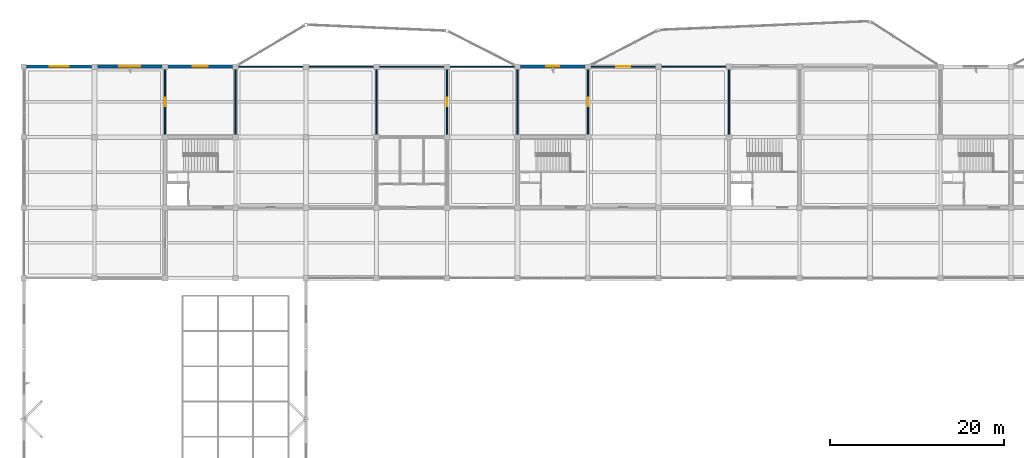
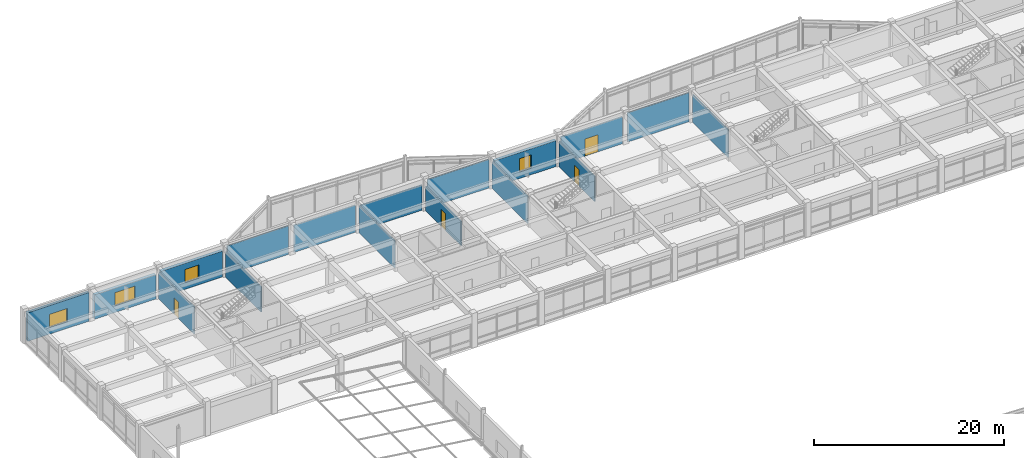
# One storey, part 73 of 89: 17 walls, 4 doors, 4 windows, 8 openings.
"""IFC4 building model written with IfcOpenShell, lengths in metres."""

from ifc_helpers import new_model, si_unit, direction, frame, frame_2d, origin, place, context, subcontext, project, spatial, rectangle, extrude, material, layer, layer_set, type_object, element, fill, save


model = new_model("IFC4")

# Units and contexts
model_context = context("Model", 3, precision=1e-05, world=origin(), true_north=direction((0.0, 1.0)))
body_context = subcontext(model_context, "Body", "Model", "MODEL_VIEW")
ifc_project = project(units=[si_unit("LENGTHUNIT", "METRE"), si_unit("AREAUNIT", "SQUARE_METRE"), si_unit("VOLUMEUNIT", "CUBIC_METRE"), si_unit("PLANEANGLEUNIT", "RADIAN"), si_unit("MASSUNIT", "GRAM", prefix="KILO")], contexts=[model_context])

# Site, building, storey
site_placement = place(None, origin())
site = spatial("IfcSite", under=ifc_project, at=site_placement, CompositionType="ELEMENT")
building_placement = place(site_placement, origin())
building = spatial("IfcBuilding", under=site, at=building_placement, Name="Vaudrelin Polytechnic", CompositionType="ELEMENT")
storey_placement = place(building_placement, frame((0.0, 0.0, 9.68994140625)))
storey = spatial("IfcBuildingStorey", under=building, at=storey_placement, Name="L02", CompositionType="ELEMENT", Elevation=9.68994140625)

# Wall, opening, window
ifc_material_1 = material(Name="Precast concrete 35 MPa with standing-seam zinc rainscreen", Category="concrete")
ifc_layer_1 = layer(ifc_material_1, 0.360107421875)
ifc_layer_set_1 = layer_set([ifc_layer_1], Name="Precast concrete 35 MPa with standing-seam zinc rainscreen")
wall_type_1 = type_object("IfcWallType", Name="WAL-EW-ZINC360", PredefinedType="STANDARD", material=ifc_layer_set_1)
wall_1_placement = place(storey_placement, frame((0.322998046875, 121.5, 0.0), z_axis=(0.0, 0.0, 1.0), x_axis=(1.0, 0.0, 0.0)))
wall_1 = element("IfcWall", 1, at=wall_1_placement, inside=storey, type_object=wall_type_1, Name="Exterior wall L02 N_V5_00", PredefinedType="STANDARD", context=body_context, shape_type="SweptSolid", body=[
    extrude(rectangle(XDim=7.4541015625, YDim=0.360107421875, at=frame_2d((3.72705078125, 0.0))), origin(), (0.0, 0.0, 1.0), 3.6669921875),
])
opening_1_placement = place(wall_1_placement, frame((2.652099609375, 0.0, 0.85009765625)))
opening_1 = element("IfcOpeningElement", 2, at=opening_1_placement, cuts=wall_1, Name="Opening W-L02-N-V5-01", PredefinedType="OPENING", context=body_context, shape_type="SweptSolid", body=[
    extrude(rectangle(XDim=2.14990234375, YDim=1.699951171875, at=frame_2d((1.074951171875, 0.85009765625))), frame((0.0, 0.18994140625, 0.0), z_axis=(0.0, -1.0, 0.0), x_axis=(1.0, 0.0, 0.0)), (0.0, 0.0, 1.0), 0.380126953125),
])
ifc_material_2 = material(Name="Thermally broken aluminium frame with triple low-e glazing", Category="aluminium")
window_type_1 = type_object("IfcWindowType", Name="WIN-WN-37", PartitioningType="SINGLE_PANEL", PredefinedType="WINDOW", material=ifc_material_2)
window_1_placement = place(opening_1_placement, origin())
window_1 = element("IfcWindow", 3, at=window_1_placement, inside=storey, type_object=window_type_1, Name="Facade window L02-N_V5_00", OverallHeight=1.699951171875, OverallWidth=2.14990234375, PartitioningType="SINGLE_PANEL", PredefinedType="WINDOW", context=body_context, shape_type="SweptSolid", body=[
    extrude(rectangle(XDim=2.14990234375, YDim=1.699951171875, at=frame_2d((1.074951171875, 0.85009765625))), frame((0.0, 0.030029296875, 0.0), z_axis=(0.0, -1.0, 0.0), x_axis=(1.0, 0.0, 0.0)), (0.0, 0.0, 1.0), 0.06005859375),
])
fill(opening_1, window_1)

wall_2_placement = place(storey_placement, frame((8.423095703125, 121.5, 0.0), z_axis=(0.0, 0.0, 1.0), x_axis=(1.0, 0.0, 0.0)))
wall_2 = element("IfcWall", 4, at=wall_2_placement, inside=storey, type_object=wall_type_1, Name="Exterior wall L02 N_V5_01", PredefinedType="STANDARD", context=body_context, shape_type="SweptSolid", body=[
    extrude(rectangle(XDim=7.453857421875, YDim=0.360107421875, at=frame_2d((3.72705078125, 0.0))), origin(), (0.0, 0.0, 1.0), 3.132080078125),
])
opening_2_placement = place(wall_2_placement, frame((2.501953125, 0.0, 0.85009765625)))
opening_2 = element("IfcOpeningElement", 5, at=opening_2_placement, cuts=wall_2, Name="Opening W-L02-N-V5-02", PredefinedType="OPENING", context=body_context, shape_type="SweptSolid", body=[
    extrude(rectangle(XDim=2.449951171875, YDim=1.699951171875, at=frame_2d((1.22509765625, 0.85009765625))), frame((0.0, 0.18994140625, 0.0), z_axis=(0.0, -1.0, 0.0), x_axis=(1.0, 0.0, 0.0)), (0.0, 0.0, 1.0), 0.380126953125),
])
window_type_2 = type_object("IfcWindowType", Name="WIN-WN-38", PartitioningType="SINGLE_PANEL", PredefinedType="WINDOW", material=ifc_material_2)
window_2_placement = place(opening_2_placement, origin())
window_2 = element("IfcWindow", 6, at=window_2_placement, inside=storey, type_object=window_type_2, Name="Facade window L02-N_V5_01", OverallHeight=1.699951171875, OverallWidth=2.449951171875, PartitioningType="SINGLE_PANEL", PredefinedType="WINDOW", context=body_context, shape_type="SweptSolid", body=[
    extrude(rectangle(XDim=2.449951171875, YDim=1.699951171875, at=frame_2d((1.22509765625, 0.85009765625))), frame((0.0, 0.030029296875, 0.0), z_axis=(0.0, -1.0, 0.0), x_axis=(1.0, 0.0, 0.0)), (0.0, 0.0, 1.0), 0.06005859375),
])
fill(opening_2, window_2)

wall_3_placement = place(storey_placement, frame((16.52294921875, 121.5, 0.0), z_axis=(0.0, 0.0, 1.0), x_axis=(1.0, 0.0, 0.0)))
wall_3 = element("IfcWall", 7, at=wall_3_placement, inside=storey, type_object=wall_type_1, Name="Exterior wall L02 N_V5_02", PredefinedType="STANDARD", context=body_context, shape_type="SweptSolid", body=[
    extrude(rectangle(XDim=7.4541015625, YDim=0.360107421875, at=frame_2d((3.72705078125, 0.0))), origin(), (0.0, 0.0, 1.0), 3.33203125),
])
opening_3_placement = place(wall_3_placement, frame((2.876953125, 0.0, 0.85009765625)))
opening_3 = element("IfcOpeningElement", 8, at=opening_3_placement, cuts=wall_3, Name="Opening W-L02-N-V5-03", PredefinedType="OPENING", context=body_context, shape_type="SweptSolid", body=[
    extrude(rectangle(XDim=1.699951171875, YDim=1.699951171875, at=frame_2d((0.85009765625, 0.85009765625))), frame((0.0, 0.18994140625, 0.0), z_axis=(0.0, -1.0, 0.0), x_axis=(1.0, 0.0, 0.0)), (0.0, 0.0, 1.0), 0.380126953125),
])
window_type_3 = type_object("IfcWindowType", Name="WIN-WN-39", PartitioningType="SINGLE_PANEL", PredefinedType="WINDOW", material=ifc_material_2)
window_3_placement = place(opening_3_placement, origin())
window_3 = element("IfcWindow", 9, at=window_3_placement, inside=storey, type_object=window_type_3, Name="Facade window L02-N_V5_02", OverallHeight=1.699951171875, OverallWidth=1.699951171875, PartitioningType="SINGLE_PANEL", PredefinedType="WINDOW", context=body_context, shape_type="SweptSolid", body=[
    extrude(rectangle(XDim=1.699951171875, YDim=1.699951171875, at=frame_2d((0.85009765625, 0.85009765625))), frame((0.0, 0.030029296875, 0.0), z_axis=(0.0, -1.0, 0.0), x_axis=(1.0, 0.0, 0.0)), (0.0, 0.0, 1.0), 0.06005859375),
])
fill(opening_3, window_3)

wall_4_placement = place(storey_placement, frame((57.02294921875, 121.5, 0.0), z_axis=(0.0, 0.0, 1.0), x_axis=(1.0, 0.0, 0.0)))
wall_4 = element("IfcWall", 10, at=wall_4_placement, inside=storey, type_object=wall_type_1, Name="Exterior wall L02 N_V5_07", PredefinedType="STANDARD", context=body_context, shape_type="SweptSolid", body=[
    extrude(rectangle(XDim=7.4541015625, YDim=0.360107421875, at=frame_2d((3.72705078125, 0.0))), origin(), (0.0, 0.0, 1.0), 3.33203125),
])
opening_4_placement = place(wall_4_placement, frame((3.001953125, 0.0, 0.85009765625)))
opening_4 = element("IfcOpeningElement", 11, at=opening_4_placement, cuts=wall_4, Name="Opening W-L02-N-V5-08", PredefinedType="OPENING", context=body_context, shape_type="SweptSolid", body=[
    extrude(rectangle(XDim=1.449951171875, YDim=1.699951171875, at=frame_2d((0.72509765625, 0.85009765625))), frame((0.0, 0.18994140625, 0.0), z_axis=(0.0, -1.0, 0.0), x_axis=(1.0, 0.0, 0.0)), (0.0, 0.0, 1.0), 0.380126953125),
])
window_type_4 = type_object("IfcWindowType", Name="WIN-WN-40", PartitioningType="SINGLE_PANEL", PredefinedType="WINDOW", material=ifc_material_2)
window_4_placement = place(opening_4_placement, origin())
window_4 = element("IfcWindow", 12, at=window_4_placement, inside=storey, type_object=window_type_4, Name="Facade window L02-N_V5_07", OverallHeight=1.699951171875, OverallWidth=1.449951171875, PartitioningType="SINGLE_PANEL", PredefinedType="WINDOW", context=body_context, shape_type="SweptSolid", body=[
    extrude(rectangle(XDim=1.449951171875, YDim=1.699951171875, at=frame_2d((0.72509765625, 0.85009765625))), frame((0.0, 0.030029296875, 0.0), z_axis=(0.0, -1.0, 0.0), x_axis=(1.0, 0.0, 0.0)), (0.0, 0.0, 1.0), 0.06005859375),
])
fill(opening_4, window_4)

# Wall, opening, door
ifc_material_3 = material(Name="Acoustic steel-stud office & study room partition", Category="steel")
ifc_layer_2 = layer(ifc_material_3, 0.135009765625)
ifc_layer_set_2 = layer_set([ifc_layer_2], Name="Acoustic steel-stud office & study room partition")
wall_type_2 = type_object("IfcWallType", Name="WAL-PW-OFF135", PredefinedType="PARTITIONING", material=ifc_layer_set_2)
wall_5_placement = place(storey_placement, frame((16.199951171875, 113.722900390625, 0.0), z_axis=(0.0, 0.0, 1.0), x_axis=(0.0, 1.0, 0.0)))
wall_5 = element("IfcWall", 13, at=wall_5_placement, inside=storey, type_object=wall_type_2, Name="Partition L02-007 E", PredefinedType="PARTITIONING", context=body_context, shape_type="SweptSolid", body=[
    extrude(rectangle(XDim=7.4541015625, YDim=0.135009765625, at=frame_2d((3.72705078125, 0.0))), origin(), (0.0, 0.0, 1.0), 3.43212890625),
])
opening_5_placement = place(wall_5_placement, frame((3.2470703125, 0.0, 0.0)))
opening_5 = element("IfcOpeningElement", 14, at=opening_5_placement, cuts=wall_5, Name="Opening D-L02-489", PredefinedType="OPENING", context=body_context, shape_type="SweptSolid", body=[
    extrude(rectangle(XDim=0.9599609375, YDim=2.14990234375, at=frame_2d((0.47998046875, 1.074951171875))), frame((0.0, 0.07763671875, 0.0), z_axis=(0.0, -1.0, 0.0), x_axis=(1.0, 0.0, 0.0)), (0.0, 0.0, 1.0), 0.155029296875),
])
ifc_material_4 = material(Name="Solid-core birch veneer acoustic leaf", Category="wood")
door_type_1 = type_object("IfcDoorType", Name="DOR-ID-OFF2", OperationType="NOTDEFINED", PredefinedType="DOOR", material=ifc_material_4)
door_1_placement = place(opening_5_placement, origin())
door_1 = element("IfcDoor", 15, at=door_1_placement, inside=storey, type_object=door_type_1, Name="Library West Carrel Alcove door L02-025", OperationType="SINGLE_SWING_RIGHT", OverallHeight=2.14990234375, OverallWidth=0.9599609375, PredefinedType="DOOR", context=body_context, shape_type="SweptSolid", body=[
    extrude(rectangle(XDim=0.9599609375, YDim=2.14990234375, at=frame_2d((0.47998046875, 1.074951171875))), frame((0.0, 0.02490234375, 0.0), z_axis=(0.0, -1.0, 0.0), x_axis=(1.0, 0.0, 0.0)), (0.0, 0.0, 1.0), 0.050048828125),
])
fill(opening_5, door_1)

# Walls
wall_6_placement = place(storey_placement, frame((40.5, 113.722900390625, 0.0), z_axis=(0.0, 0.0, 1.0), x_axis=(0.0, 1.0, 0.0)))
element("IfcWall", 16, at=wall_6_placement, inside=storey, type_object=wall_type_2, Name="Partition L02-008 E", PredefinedType="PARTITIONING", context=body_context, shape_type="SweptSolid", body=[
    extrude(rectangle(XDim=7.4541015625, YDim=0.135009765625, at=frame_2d((3.72705078125, 0.0))), origin(), (0.0, 0.0, 1.0), 3.482177734375),
])
wall_7_placement = place(storey_placement, frame((24.300048828125, 113.722900390625, 0.0), z_axis=(0.0, 0.0, 1.0), x_axis=(0.0, 1.0, 0.0)))
element("IfcWall", 17, at=wall_7_placement, inside=storey, type_object=wall_type_2, Name="Partition L02-008 W", PredefinedType="PARTITIONING", context=body_context, shape_type="SweptSolid", body=[
    extrude(rectangle(XDim=7.4541015625, YDim=0.135009765625, at=frame_2d((3.72705078125, 0.0))), origin(), (0.0, 0.0, 1.0), 3.232177734375),
])
wall_8_placement = place(storey_placement, frame((24.623046875, 121.5, 0.0), z_axis=(0.0, 0.0, 1.0), x_axis=(1.0, 0.0, 0.0)))
element("IfcWall", 18, at=wall_8_placement, inside=storey, type_object=wall_type_2, Name="Partition L02-008 N", PredefinedType="PARTITIONING", context=body_context, shape_type="SweptSolid", body=[
    extrude(rectangle(XDim=7.453857421875, YDim=0.135009765625, at=frame_2d((3.72705078125, 0.0))), origin(), (0.0, 0.0, 1.0), 3.6669921875),
])
wall_9_placement = place(storey_placement, frame((32.722900390625, 121.5, 0.0), z_axis=(0.0, 0.0, 1.0), x_axis=(1.0, 0.0, 0.0)))
element("IfcWall", 19, at=wall_9_placement, inside=storey, type_object=wall_type_2, Name="Partition L02-008 N", PredefinedType="PARTITIONING", context=body_context, shape_type="SweptSolid", body=[
    extrude(rectangle(XDim=7.4541015625, YDim=0.135009765625, at=frame_2d((3.72705078125, 0.0))), origin(), (0.0, 0.0, 1.0), 3.482177734375),
])
wall_10_placement = place(storey_placement, frame((56.699951171875, 113.722900390625, 0.0), z_axis=(0.0, 0.0, 1.0), x_axis=(0.0, 1.0, 0.0)))
element("IfcWall", 20, at=wall_10_placement, inside=storey, type_object=wall_type_2, Name="Partition L02-009 E", PredefinedType="PARTITIONING", context=body_context, shape_type="SweptSolid", body=[
    extrude(rectangle(XDim=7.4541015625, YDim=0.135009765625, at=frame_2d((3.72705078125, 0.0))), origin(), (0.0, 0.0, 1.0), 3.43212890625),
])

# Wall, opening, door
wall_11_placement = place(storey_placement, frame((48.60009765625, 113.722900390625, 0.0), z_axis=(0.0, 0.0, 1.0), x_axis=(0.0, 1.0, 0.0)))
wall_11 = element("IfcWall", 21, at=wall_11_placement, inside=storey, type_object=wall_type_2, Name="Partition L02-009 W", PredefinedType="PARTITIONING", context=body_context, shape_type="SweptSolid", body=[
    extrude(rectangle(XDim=7.4541015625, YDim=0.135009765625, at=frame_2d((3.72705078125, 0.0))), origin(), (0.0, 0.0, 1.0), 3.132080078125),
])
opening_6_placement = place(wall_11_placement, frame((3.2470703125, 0.0, 0.0)))
opening_6 = element("IfcOpeningElement", 22, at=opening_6_placement, cuts=wall_11, Name="Opening D-L02-490", PredefinedType="OPENING", context=body_context, shape_type="SweptSolid", body=[
    extrude(rectangle(XDim=0.9599609375, YDim=2.14990234375, at=frame_2d((0.47998046875, 1.074951171875))), frame((0.0, 0.07763671875, 0.0), z_axis=(0.0, -1.0, 0.0), x_axis=(1.0, 0.0, 0.0)), (0.0, 0.0, 1.0), 0.155029296875),
])
door_2_placement = place(opening_6_placement, origin())
door_2 = element("IfcDoor", 23, at=door_2_placement, inside=storey, type_object=door_type_1, Name="Library North Reading Carrels door L02-026", OperationType="SINGLE_SWING_LEFT", OverallHeight=2.14990234375, OverallWidth=0.9599609375, PredefinedType="DOOR", context=body_context, shape_type="SweptSolid", body=[
    extrude(rectangle(XDim=0.9599609375, YDim=2.14990234375, at=frame_2d((0.47998046875, 1.074951171875))), frame((0.0, 0.02490234375, 0.0), z_axis=(0.0, -1.0, 0.0), x_axis=(1.0, 0.0, 0.0)), (0.0, 0.0, 1.0), 0.050048828125),
])
fill(opening_6, door_2)

# Walls
wall_12_placement = place(storey_placement, frame((48.923095703125, 121.5, 0.0), z_axis=(0.0, 0.0, 1.0), x_axis=(1.0, 0.0, 0.0)))
element("IfcWall", 24, at=wall_12_placement, inside=storey, type_object=wall_type_2, Name="Partition L02-009 N", PredefinedType="PARTITIONING", context=body_context, shape_type="SweptSolid", body=[
    extrude(rectangle(XDim=7.453857421875, YDim=0.135009765625, at=frame_2d((3.72705078125, 0.0))), origin(), (0.0, 0.0, 1.0), 3.6669921875),
])
wall_13_placement = place(storey_placement, frame((81.0, 113.722900390625, 0.0), z_axis=(0.0, 0.0, 1.0), x_axis=(0.0, 1.0, 0.0)))
element("IfcWall", 25, at=wall_13_placement, inside=storey, type_object=wall_type_2, Name="Partition L02-010 E", PredefinedType="PARTITIONING", context=body_context, shape_type="SweptSolid", body=[
    extrude(rectangle(XDim=7.4541015625, YDim=0.135009765625, at=frame_2d((3.72705078125, 0.0))), origin(), (0.0, 0.0, 1.0), 3.5419921875),
])

# Wall, opening, door
wall_14_placement = place(storey_placement, frame((64.800048828125, 113.722900390625, 0.0), z_axis=(0.0, 0.0, 1.0), x_axis=(0.0, 1.0, 0.0)))
wall_14 = element("IfcWall", 26, at=wall_14_placement, inside=storey, type_object=wall_type_2, Name="Partition L02-010 W", PredefinedType="PARTITIONING", context=body_context, shape_type="SweptSolid", body=[
    extrude(rectangle(XDim=7.4541015625, YDim=0.135009765625, at=frame_2d((3.72705078125, 0.0))), origin(), (0.0, 0.0, 1.0), 3.232177734375),
])
opening_7_placement = place(wall_14_placement, frame((3.2470703125, 0.0, 0.0)))
opening_7 = element("IfcOpeningElement", 27, at=opening_7_placement, cuts=wall_14, Name="Opening D-L02-491", PredefinedType="OPENING", context=body_context, shape_type="SweptSolid", body=[
    extrude(rectangle(XDim=0.9599609375, YDim=2.14990234375, at=frame_2d((0.47998046875, 1.074951171875))), frame((0.0, 0.07763671875, 0.0), z_axis=(0.0, -1.0, 0.0), x_axis=(1.0, 0.0, 0.0)), (0.0, 0.0, 1.0), 0.155029296875),
])
door_3_placement = place(opening_7_placement, origin())
door_3 = element("IfcDoor", 28, at=door_3_placement, inside=storey, type_object=door_type_1, Name="Library Periodical Study Alcove door L02-027", OperationType="SINGLE_SWING_RIGHT", OverallHeight=2.14990234375, OverallWidth=0.9599609375, PredefinedType="DOOR", context=body_context, shape_type="SweptSolid", body=[
    extrude(rectangle(XDim=0.9599609375, YDim=2.14990234375, at=frame_2d((0.47998046875, 1.074951171875))), frame((0.0, 0.02490234375, 0.0), z_axis=(0.0, -1.0, 0.0), x_axis=(1.0, 0.0, 0.0)), (0.0, 0.0, 1.0), 0.050048828125),
])
fill(opening_7, door_3)

wall_15_placement = place(storey_placement, frame((65.123046875, 121.5, 0.0), z_axis=(0.0, 0.0, 1.0), x_axis=(1.0, 0.0, 0.0)))
wall_15 = element("IfcWall", 29, at=wall_15_placement, inside=storey, type_object=wall_type_2, Name="Partition L02-010 N", PredefinedType="PARTITIONING", context=body_context, shape_type="SweptSolid", body=[
    extrude(rectangle(XDim=7.453857421875, YDim=0.135009765625, at=frame_2d((3.72705078125, 0.0))), origin(), (0.0, 0.0, 1.0), 3.491943359375),
])
opening_8_placement = place(wall_15_placement, frame((2.927001953125, 0.0, 0.0)))
opening_8 = element("IfcOpeningElement", 30, at=opening_8_placement, cuts=wall_15, Name="Opening D-L02-603", PredefinedType="OPENING", context=body_context, shape_type="SweptSolid", body=[
    extrude(rectangle(XDim=1.60009765625, YDim=2.199951171875, at=frame_2d((0.800048828125, 1.10009765625))), frame((0.0, 0.07763671875, 0.0), z_axis=(0.0, -1.0, 0.0), x_axis=(1.0, 0.0, 0.0)), (0.0, 0.0, 1.0), 0.155029296875),
])
door_type_2 = type_object("IfcDoorType", Name="DOR-ID-GLZ1", OperationType="NOTDEFINED", PredefinedType="DOOR", material=ifc_material_4)
door_4_placement = place(opening_8_placement, origin())
door_4 = element("IfcDoor", 31, at=door_4_placement, inside=storey, type_object=door_type_2, Name="North library reading pod N2 door L02", OperationType="DOUBLE_SWING_LEFT", OverallHeight=2.199951171875, OverallWidth=1.60009765625, PredefinedType="DOOR", context=body_context, shape_type="SweptSolid", body=[
    extrude(rectangle(XDim=1.60009765625, YDim=2.199951171875, at=frame_2d((0.800048828125, 1.10009765625))), frame((0.0, 0.02490234375, 0.0), z_axis=(0.0, -1.0, 0.0), x_axis=(1.0, 0.0, 0.0)), (0.0, 0.0, 1.0), 0.050048828125),
])
fill(opening_8, door_4)

# Walls
wall_16_placement = place(storey_placement, frame((73.222900390625, 121.5, 0.0), z_axis=(0.0, 0.0, 1.0), x_axis=(1.0, 0.0, 0.0)))
element("IfcWall", 32, at=wall_16_placement, inside=storey, type_object=wall_type_2, Name="Partition L02-010 N", PredefinedType="PARTITIONING", context=body_context, shape_type="SweptSolid", body=[
    extrude(rectangle(XDim=7.4541015625, YDim=0.135009765625, at=frame_2d((3.72705078125, 0.0))), origin(), (0.0, 0.0, 1.0), 3.72705078125),
])
wall_17_placement = place(storey_placement, frame((40.822998046875, 121.5, 0.0), z_axis=(0.0, 0.0, 1.0), x_axis=(1.0, 0.0, 0.0)))
element("IfcWall", 33, at=wall_17_placement, inside=storey, type_object=wall_type_2, Name="Partition L02-026 N", PredefinedType="PARTITIONING", context=body_context, shape_type="SweptSolid", body=[
    extrude(rectangle(XDim=7.4541015625, YDim=0.135009765625, at=frame_2d((3.72705078125, 0.0))), origin(), (0.0, 0.0, 1.0), 3.232177734375),
])

save(model, "model.ifc")
